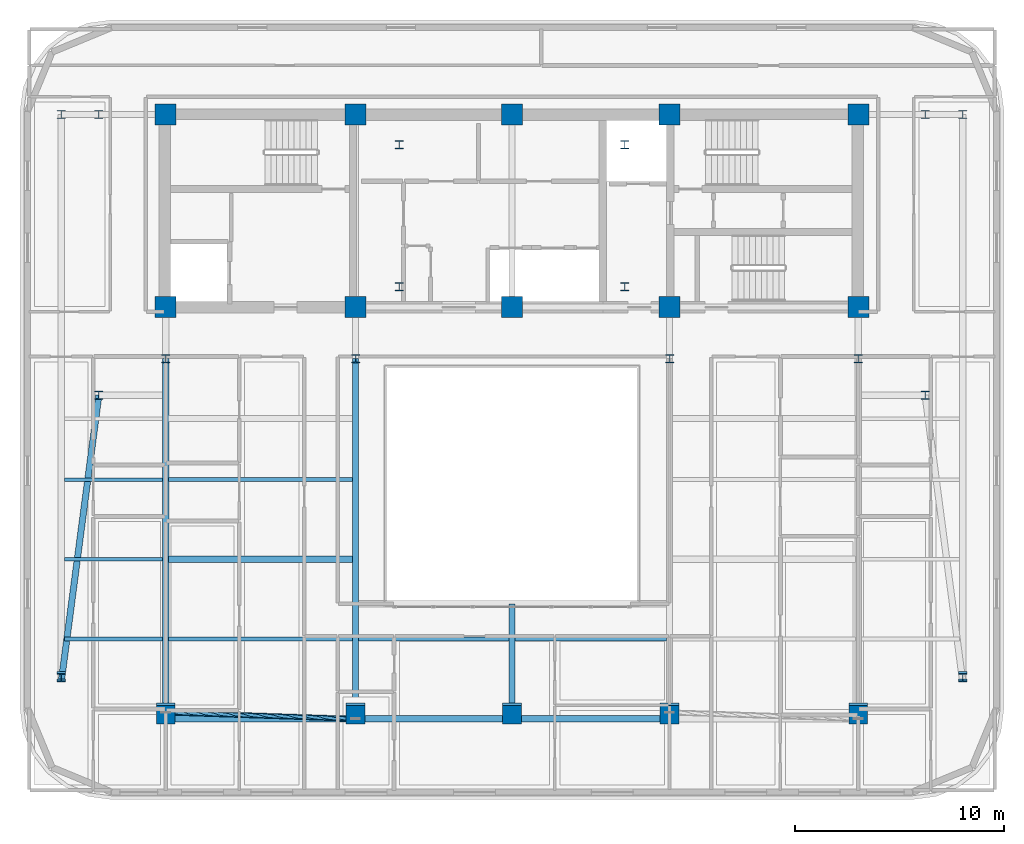
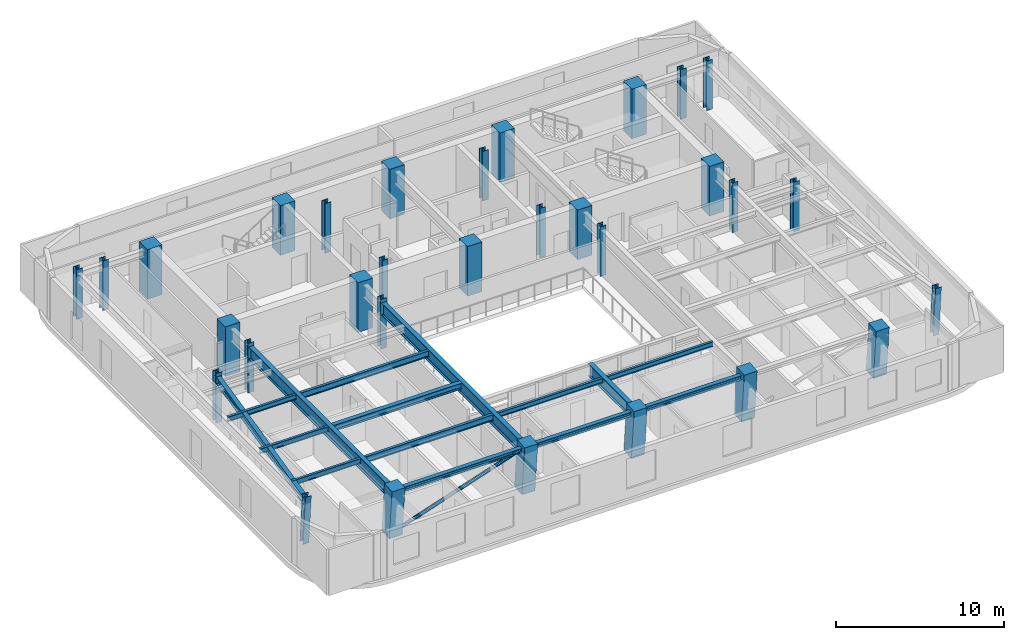
# One storey, part 1 of 15: 31 columns, 15 beams, 1 member.
"""IFC4 building model written with IfcOpenShell, lengths in metres."""

import ifcopenshell
import ifcopenshell.guid

model = None  # the IFC model being written
_history = None  # IfcOwnerHistory: only IFC2X3 demands one
_inside = {}  # id of a spatial element -> (the spatial element, [elements in it])
_under = {}  # id of a project, library or spatial element -> (it, [spatial elements below it])
_declared = {}  # id of a project -> (the project, [libraries it declares])
_typed = {}  # id of a type object -> (the type object, [elements of that type])
_made_of = {}  # id of a material, layer set ... -> (it, [elements and type objects made of it])


def new_model(schema):
    """Start an empty IFC model of exactly this schema.

    Asked for "IFC4X3", IfcOpenShell would pick the latest addendum, in which some entities
    have other attributes; the version numbers below select the first issue.
    IFC2X3 requires an IfcOwnerHistory on every rooted entity: one is made here for all.
    """
    global model, _history
    if schema == "IFC4X3":
        model = ifcopenshell.file(schema_version=(4, 3, 0, 0))
    else:
        model = ifcopenshell.file(schema=schema)
    _inside.clear()
    _under.clear()
    _declared.clear()
    _typed.clear()
    _made_of.clear()
    _history = None
    if model.schema == "IFC2X3":
        org = make("IfcOrganization", Name="unknown")
        user = make(
            "IfcPersonAndOrganization",
            ThePerson=make("IfcPerson", FamilyName="unknown"),
            TheOrganization=org,
        )
        app = make(
            "IfcApplication",
            ApplicationDeveloper=org,
            Version="unknown",
            ApplicationFullName="unknown",
            ApplicationIdentifier="unknown",
        )
        _history = make(
            "IfcOwnerHistory",
            OwningUser=user,
            OwningApplication=app,
            ChangeAction="ADDED",
            CreationDate=0,
        )
    return model


def make(cls, **values):
    """One entity of the class cls with the attributes given. An attribute that is None is left unset."""
    return model.create_entity(
        cls, **{name: value for name, value in values.items() if value is not None}
    )


def rooted(cls, **values):
    """An entity with a GlobalId (a new one), such as an element, a storey or a relation."""
    return make(cls, GlobalId=ifcopenshell.guid.new(), OwnerHistory=_history, **values)


def si_unit(unit_type, name, prefix=None):
    """IfcSIUnit, for example si_unit("LENGTHUNIT", "METRE", prefix="MILLI")."""
    return make("IfcSIUnit", UnitType=unit_type, Prefix=prefix, Name=name)


def assignment(units):
    """IfcUnitAssignment: the units of a project."""
    return None if units is None else make("IfcUnitAssignment", Units=units)


def point(xyz):
    """IfcCartesianPoint."""
    return None if xyz is None else make("IfcCartesianPoint", Coordinates=xyz)


def direction(xyz):
    """IfcDirection."""
    return None if xyz is None else make("IfcDirection", DirectionRatios=xyz)


def frame(location, z_axis=None, x_axis=None):
    """IfcAxis2Placement3D, a coordinate frame: its origin and axes. An axis left out is left unset."""
    return make(
        "IfcAxis2Placement3D",
        Location=point(location),
        Axis=direction(z_axis),
        RefDirection=direction(x_axis),
    )


def frame_2d(location, x_axis=None):
    """IfcAxis2Placement2D, a coordinate frame in the plane: its origin and x axis."""
    return make(
        "IfcAxis2Placement2D", Location=point(location), RefDirection=direction(x_axis)
    )


def origin():
    """The frame at (0, 0, 0) with its axes left unset."""
    return frame((0.0, 0.0, 0.0))


def origin_2d():
    """The frame at (0, 0) in the plane with its x axis left unset."""
    return frame_2d((0.0, 0.0))


def place(relative_to, where):
    """IfcLocalPlacement: puts the frame where relative to a parent placement (None: the world)."""
    return make(
        "IfcLocalPlacement", PlacementRelTo=relative_to, RelativePlacement=where
    )


def context(
    kind, dimensions, precision=None, world=None, true_north=None, identifier=None
):
    """IfcGeometricRepresentationContext, for example the 3D "Model" context."""
    return make(
        "IfcGeometricRepresentationContext",
        ContextIdentifier=identifier,
        ContextType=kind,
        CoordinateSpaceDimension=dimensions,
        Precision=precision,
        WorldCoordinateSystem=world,
        TrueNorth=true_north,
    )


def subcontext(parent, identifier, kind, view, scale=None):
    """IfcGeometricRepresentationSubContext, for example "Body" below "Model"."""
    return make(
        "IfcGeometricRepresentationSubContext",
        ContextIdentifier=identifier,
        ContextType=kind,
        ParentContext=parent,
        TargetScale=scale,
        TargetView=view,
    )


def project(units=None, contexts=None):
    """IfcProject with its units and contexts."""
    return rooted(
        "IfcProject",
        Name="project",
        RepresentationContexts=contexts,
        UnitsInContext=assignment(units),
    )


def spatial(cls, under=None, at=None, **own):
    """A site, building, storey or space (cls), placed at a placement, below another one or the project."""
    s = rooted(cls, ObjectPlacement=at, **own)
    if under is not None:
        _under.setdefault(under.id(), (under, []))[1].append(s)
    return s


def profile(cls, at=None, kind="AREA", **sizes):
    """A parametric profile (cls). Its sizes go by their IFC names, for example OverallWidth=200.0."""
    return make(cls, ProfileType=kind, Position=at, **sizes)


def rectangle(**sizes):
    """IfcRectangleProfileDef."""
    return profile("IfcRectangleProfileDef", **sizes)


def hollow_circle(**sizes):
    """IfcCircleHollowProfileDef."""
    return profile("IfcCircleHollowProfileDef", **sizes)


def i_section(**sizes):
    """IfcIShapeProfileDef."""
    return profile("IfcIShapeProfileDef", **sizes)


def extrude(swept, where, along, depth):
    """IfcExtrudedAreaSolid: the profile swept, set in the frame where, extruded along a direction by depth."""
    return make(
        "IfcExtrudedAreaSolid",
        SweptArea=swept,
        Position=where,
        ExtrudedDirection=direction(along),
        Depth=depth,
    )


def shape(context_of_items, identifier, shape_type, items):
    """IfcShapeRepresentation: the items that make up one representation, for example the "Body"."""
    return make(
        "IfcShapeRepresentation",
        ContextOfItems=context_of_items,
        RepresentationIdentifier=identifier,
        RepresentationType=shape_type,
        Items=items,
    )


def material(Name=None, Category=None):
    """IfcMaterial."""
    return make("IfcMaterial", Name=Name, Category=Category)


def material_profile(
    of_material, cross_section, Name=None, Category=None, Priority=None
):
    """IfcMaterialProfile: a cross section and its material."""
    return make(
        "IfcMaterialProfile",
        Name=Name,
        Material=of_material,
        Profile=cross_section,
        Priority=Priority,
        Category=Category,
    )


def profile_set(profiles, Name=None, composite=None):
    """IfcMaterialProfileSet."""
    return make(
        "IfcMaterialProfileSet",
        Name=Name,
        MaterialProfiles=profiles,
        CompositeProfile=composite,
    )


def made_of(thing, what):
    """Note that an element or type object is made of a material, layer set ...; save() writes the relation."""
    if what is not None:
        _made_of.setdefault(what.id(), (what, []))[1].append(thing)
    return thing


def type_object(cls, material=None, **own):
    """A type object (cls), such as IfcWallType, which elements share."""
    return made_of(rooted(cls, **own), material)


def element(
    cls,
    number,
    at=None,
    inside=None,
    cuts=None,
    type_object=None,
    material=None,
    context=None,
    identifier="Body",
    shape_type=None,
    held_by="IfcProductDefinitionShape",
    body=None,
    shapes=None,
    **own,
):
    """One element of the class cls, such as IfcWall. Its Tag is "e" and its number.

    at: its placement. inside: the storey or other place that contains it. cuts: it is an
    opening in that element (IfcRelVoidsElement). A single representation is given by context,
    identifier, shape_type and body (its items); several are given by shapes. held_by: the class
    of the entity that holds the representations. save() writes the other relations.
    """
    e = rooted(cls, Tag="e%d" % number, ObjectPlacement=at, **own)
    if body is not None:
        shapes = [shape(context, identifier, shape_type, body)]
    if shapes is not None:
        e.Representation = make(held_by, Representations=shapes)
    if inside is not None:
        _inside.setdefault(inside.id(), (inside, []))[1].append(e)
    if cuts is not None:
        rooted(
            "IfcRelVoidsElement", RelatingBuildingElement=cuts, RelatedOpeningElement=e
        )
    if type_object is not None:
        _typed.setdefault(type_object.id(), (type_object, []))[1].append(e)
    return made_of(e, material)


def aggregate(whole, parts):
    """IfcRelAggregates: a whole, such as a stair, and the parts it consists of."""
    return rooted("IfcRelAggregates", RelatingObject=whole, RelatedObjects=parts)


def save(model, path):
    """Write the relations noted so far, then the file.

    IfcRelAggregates (storeys below a building ...), IfcRelContainedInSpatialStructure (elements
    in a storey), IfcRelDefinesByType, IfcRelAssociatesMaterial and IfcRelDeclares: one each for
    every whole, place, type object, material and project.
    """
    for whole, parts in _under.values():
        aggregate(whole, parts)
    for where, things in _inside.values():
        rooted(
            "IfcRelContainedInSpatialStructure",
            RelatedElements=things,
            RelatingStructure=where,
        )
    for kind, things in _typed.values():
        rooted("IfcRelDefinesByType", RelatedObjects=things, RelatingType=kind)
    for what, things in _made_of.values():
        rooted("IfcRelAssociatesMaterial", RelatedObjects=things, RelatingMaterial=what)
    for by, libraries in _declared.values():
        rooted("IfcRelDeclares", RelatingContext=by, RelatedDefinitions=libraries)
    model.write(path)


model = new_model("IFC4")

# Units and contexts
model_context = context("Model", 3, precision=1e-05, world=origin(), true_north=direction((0.0, 1.0)))
body_context = subcontext(model_context, "Body", "Model", "MODEL_VIEW")
ifc_project = project(units=[si_unit("LENGTHUNIT", "METRE"), si_unit("AREAUNIT", "SQUARE_METRE"), si_unit("VOLUMEUNIT", "CUBIC_METRE"), si_unit("PLANEANGLEUNIT", "RADIAN"), si_unit("MASSUNIT", "GRAM", prefix="KILO")], contexts=[model_context])

# Site, building, storey
site_placement = place(None, origin())
site = spatial("IfcSite", under=ifc_project, at=site_placement, CompositionType="ELEMENT")
building_placement = place(site_placement, origin())
building = spatial("IfcBuilding", under=site, at=building_placement, Name="Zarnavel Station Tower", CompositionType="ELEMENT")
storey_placement = place(building_placement, frame((0.0, 0.0, 196.800048828125)))
storey = spatial("IfcBuildingStorey", under=building, at=storey_placement, Name="L53", CompositionType="ELEMENT", Elevation=196.800048828125)

# Columns
ifc_material_1 = material(Name="Steel S355J2", Category="steel")
ifc_material_profile_1 = material_profile(ifc_material_1, i_section(OverallWidth=0.407958984375, OverallDepth=0.39990234375, WebThickness=0.02490234375, FlangeThickness=0.0390625, FilletRadius=0.014892578125, at=origin_2d()), Name="HD400x287")
ifc_profile_set_1 = profile_set([ifc_material_profile_1], Name="Steel S355J2")
column_type_1 = type_object("IfcColumnType", Name="EC_HD287", PredefinedType="COLUMN", material=ifc_profile_set_1)
column_1_placement = place(storey_placement, frame((7.199951171875, 10.15087890625, 0.0), z_axis=(0.0, -0.079906436036, 0.996802368316), x_axis=(1.0, 0.0, 0.0)))
element("IfcColumn", 1, at=column_1_placement, inside=storey, type_object=column_type_1, Name="L53 Raked Wing Column 1", PredefinedType="COLUMN", context=body_context, shape_type="SweptSolid", body=[
    extrude(i_section(OverallWidth=0.407958984375, OverallDepth=0.39990234375, WebThickness=0.02490234375, FlangeThickness=0.0390625, FilletRadius=0.014892578125, at=origin_2d()), origin(), (0.0, 0.0, 1.0), 3.611328125),
])
column_2_placement = place(storey_placement, frame((7.199951171875, 37.050048828125, 0.0), z_axis=(0.0, 0.0, 1.0), x_axis=(1.0, 0.0, 0.0)))
element("IfcColumn", 2, at=column_2_placement, inside=storey, type_object=column_type_1, Name="L53 Outer Wing North Column 1", PredefinedType="COLUMN", context=body_context, shape_type="SweptSolid", body=[
    extrude(i_section(OverallWidth=0.407958984375, OverallDepth=0.39990234375, WebThickness=0.02490234375, FlangeThickness=0.0390625, FilletRadius=0.014892578125, at=origin_2d()), origin(), (0.0, 0.0, 1.0), 3.599853515625),
])
column_3_placement = place(storey_placement, frame((50.39990234375, 10.15087890625, 0.0), z_axis=(0.0, -0.079906436036, 0.996802368316), x_axis=(1.0, 0.0, 0.0)))
element("IfcColumn", 3, at=column_3_placement, inside=storey, type_object=column_type_1, Name="L53 Raked Wing Column 2", PredefinedType="COLUMN", context=body_context, shape_type="SweptSolid", body=[
    extrude(i_section(OverallWidth=0.407958984375, OverallDepth=0.39990234375, WebThickness=0.02490234375, FlangeThickness=0.0390625, FilletRadius=0.014892578125, at=origin_2d()), origin(), (0.0, 0.0, 1.0), 3.611328125),
])
column_4_placement = place(storey_placement, frame((50.39990234375, 37.050048828125, 0.0), z_axis=(0.0, 0.0, 1.0), x_axis=(1.0, 0.0, 0.0)))
element("IfcColumn", 4, at=column_4_placement, inside=storey, type_object=column_type_1, Name="L53 Outer Wing North Column 2", PredefinedType="COLUMN", context=body_context, shape_type="SweptSolid", body=[
    extrude(i_section(OverallWidth=0.407958984375, OverallDepth=0.39990234375, WebThickness=0.02490234375, FlangeThickness=0.0390625, FilletRadius=0.014892578125, at=origin_2d()), origin(), (0.0, 0.0, 1.0), 3.599853515625),
])
ifc_material_2 = material(Name="Steel S355J2", Category="steel")
ifc_material_profile_2 = material_profile(ifc_material_2, i_section(OverallWidth=0.407958984375, OverallDepth=0.39990234375, WebThickness=0.02490234375, FlangeThickness=0.0390625, FilletRadius=0.014892578125, at=origin_2d()), Name="HD400x287")
ifc_profile_set_2 = profile_set([ifc_material_profile_2], Name="Steel S355J2")
column_type_2 = type_object("IfcColumnType", Name="IC_HD287", PredefinedType="COLUMN", material=ifc_profile_set_2)
for number, where, z_axis, x_axis, name in (
    (5, (23.39990234375, 28.800048828125, 0.0), (0.0, 0.0, 1.0), (1.0, 0.0, 0.0), "L53 Mast Spine Column 1"),
    (6, (34.199951171875, 28.800048828125, 0.0), (0.0, 0.0, 1.0), (1.0, 0.0, 0.0), "L53 Mast Spine Column 2"),
    (7, (34.199951171875, 35.60009765625, 0.0), (0.0, 0.0, 1.0), (1.0, 0.0, 0.0), "L53 Mast Spine Column 3"),
    (8, (23.39990234375, 35.60009765625, 0.0), (0.0, 0.0, 1.0), (1.0, 0.0, 0.0), "L53 Mast Spine Column 4"),
    (9, (12.199951171875, 25.35009765625, 0.0), (0.0, 0.0, 1.0), (1.0, 0.0, 0.0), "L53 Inner Spine Column 1"),
    (10, (21.300048828125, 25.35009765625, 0.0), (0.0, 0.0, 1.0), (1.0, 0.0, 0.0), "L53 Inner Spine Column 2"),
    (11, (36.35009765625, 25.35009765625, 0.0), (0.0, 0.0, 1.0), (1.0, 0.0, 0.0), "L53 Inner Spine Column 4"),
    (12, (45.39990234375, 25.35009765625, 0.0), (0.0, 0.0, 1.0), (1.0, 0.0, 0.0), "L53 Inner Spine Column 5"),
    (13, (9.0, 23.60009765625, 0.0), (0.0, 0.0, 1.0), (1.0, 0.0, 0.0), "L53 Inner Wing Spine Column 1-1"),
    (14, (9.0, 37.050048828125, 0.0), (0.0, 0.0, 1.0), (1.0, 0.0, 0.0), "L53 Inner Wing Spine Column 1-2"),
    (15, (48.60009765625, 23.60009765625, 0.0), (0.0, 0.0, 1.0), (1.0, 0.0, 0.0), "L53 Inner Wing Spine Column 2-1"),
    (16, (48.60009765625, 37.050048828125, 0.0), (0.0, 0.0, 1.0), (1.0, 0.0, 0.0), "L53 Inner Wing Spine Column 2-2"),
):
    element("IfcColumn", number, at=place(storey_placement, frame(where, z_axis=z_axis, x_axis=x_axis)), inside=storey, type_object=column_type_2, Name=name, PredefinedType="COLUMN", context=body_context, shape_type="SweptSolid", body=[
        extrude(i_section(OverallWidth=0.407958984375, OverallDepth=0.39990234375, WebThickness=0.02490234375, FlangeThickness=0.0390625, FilletRadius=0.014892578125, at=origin_2d()), origin(), (0.0, 0.0, 1.0), 3.599853515625),
    ])
ifc_material_3 = material(Name="Concrete C50/60", Category="concrete")
ifc_material_profile_3 = material_profile(ifc_material_3, rectangle(XDim=1.0, YDim=1.0, at=origin_2d()), Name="RC1000x1000")
ifc_profile_set_3 = profile_set([ifc_material_profile_3], Name="Concrete C50/60")
column_type_3 = type_object("IfcColumnType", Name="IC_RC1000", PredefinedType="COLUMN", material=ifc_profile_set_3)
for number, where, z_axis, x_axis, name in (
    (17, (12.199951171875, 27.820068359375, 0.0), (0.0, 0.0, 1.0), (1.0, 0.0, 0.0), "L53 Core Spine Column 1-1"),
    (18, (12.199951171875, 37.050048828125, 0.0), (0.0, 0.0, 1.0), (1.0, 0.0, 0.0), "L53 Core Spine Column 1-2"),
    (19, (21.300048828125, 27.820068359375, 0.0), (0.0, 0.0, 1.0), (1.0, 0.0, 0.0), "L53 Core Spine Column 2-1"),
    (20, (21.300048828125, 37.050048828125, 0.0), (0.0, 0.0, 1.0), (1.0, 0.0, 0.0), "L53 Core Spine Column 2-2"),
    (21, (28.800048828125, 27.820068359375, 0.0), (0.0, 0.0, 1.0), (1.0, 0.0, 0.0), "L53 Core Spine Column 3-1"),
    (22, (28.800048828125, 37.050048828125, 0.0), (0.0, 0.0, 1.0), (1.0, 0.0, 0.0), "L53 Core Spine Column 3-2"),
    (23, (36.35009765625, 27.820068359375, 0.0), (0.0, 0.0, 1.0), (1.0, 0.0, 0.0), "L53 Core Spine Column 4-1"),
    (24, (36.35009765625, 37.050048828125, 0.0), (0.0, 0.0, 1.0), (1.0, 0.0, 0.0), "L53 Core Spine Column 4-2"),
    (25, (45.39990234375, 27.820068359375, 0.0), (0.0, 0.0, 1.0), (1.0, 0.0, 0.0), "L53 Core Spine Column 5-1"),
    (26, (45.39990234375, 37.050048828125, 0.0), (0.0, 0.0, 1.0), (1.0, 0.0, 0.0), "L53 Core Spine Column 5-2"),
):
    element("IfcColumn", number, at=place(storey_placement, frame(where, z_axis=z_axis, x_axis=x_axis)), inside=storey, type_object=column_type_3, Name=name, PredefinedType="COLUMN", context=body_context, shape_type="SweptSolid", body=[
        extrude(rectangle(XDim=1.0, YDim=1.0, at=origin_2d()), origin(), (0.0, 0.0, 1.0), 3.599853515625),
    ])
ifc_material_4 = material(Name="Concrete C50/60", Category="concrete")
ifc_material_profile_4 = material_profile(ifc_material_4, rectangle(XDim=0.89990234375, YDim=0.89990234375, at=origin_2d()), Name="RC900x900")
ifc_profile_set_4 = profile_set([ifc_material_profile_4], Name="Concrete C50/60")
column_type_4 = type_object("IfcColumnType", Name="MC_RC900", PredefinedType="COLUMN", material=ifc_profile_set_4)
for number, where, z_axis, x_axis, name in (
    (27, (12.199951171875, 8.39404296875, 0.0), (0.0, -0.090304327479, 0.99591421741), (1.0, 0.0, 0.0), "L53 Raked South Mega-Column 1"),
    (28, (21.300048828125, 8.39404296875, 0.0), (0.0, -0.090304327479, 0.99591421741), (1.0, 0.0, 0.0), "L53 Raked South Mega-Column 2"),
    (29, (28.800048828125, 8.39404296875, 0.0), (0.0, -0.090304327479, 0.99591421741), (1.0, 0.0, 0.0), "L53 Raked South Mega-Column 3"),
    (30, (36.35009765625, 8.39404296875, 0.0), (0.0, -0.090304327479, 0.99591421741), (1.0, 0.0, 0.0), "L53 Raked South Mega-Column 4"),
    (31, (45.39990234375, 8.39404296875, 0.0), (0.0, -0.090304327479, 0.99591421741), (1.0, 0.0, 0.0), "L53 Raked South Mega-Column 5"),
):
    element("IfcColumn", number, at=place(storey_placement, frame(where, z_axis=z_axis, x_axis=x_axis)), inside=storey, type_object=column_type_4, Name=name, PredefinedType="COLUMN", context=body_context, shape_type="SweptSolid", body=[
        extrude(rectangle(XDim=0.89990234375, YDim=0.89990234375, at=origin_2d()), origin(), (0.0, 0.0, 1.0), 3.614501953125),
    ])

# Member
ifc_material_5 = material(Name="Steel S355J2", Category="steel")
ifc_material_profile_5 = material_profile(ifc_material_5, hollow_circle(Radius=0.122314453125, WallThickness=0.010009765625, at=origin_2d()), Name="CHS244.5x10")
ifc_profile_set_5 = profile_set([ifc_material_profile_5], Name="Steel S355J2")
member_type = type_object("IfcMemberType", Name="DB_EXT_CHS245", PredefinedType="BRACE", material=ifc_profile_set_5)
member_placement = place(storey_placement, frame((12.199951171875, 8.39404296875, 0.0), z_axis=(0.938314062499, -0.03121504098, 0.344372387589), x_axis=(0.033248763554, 0.999447107016, 0.0)))
element("IfcMember", 32, at=member_placement, inside=storey, type_object=member_type, Name="L53 Persian Exterior Diagonal Frame Brace 1", PredefinedType="BRACE", context=body_context, shape_type="SweptSolid", body=[
    extrude(hollow_circle(Radius=0.122314453125, WallThickness=0.010009765625, at=origin_2d()), origin(), (0.0, 0.0, 1.0), 9.6982421875),
])

# Beams
ifc_material_6 = material(Name="Steel S355J2", Category="steel")
ifc_material_profile_6 = material_profile(ifc_material_6, i_section(OverallWidth=0.300048828125, OverallDepth=0.320068359375, WebThickness=0.011474609375, FlangeThickness=0.0205078125, FilletRadius=0.027099609375, at=origin_2d()), Name="HEB320")
ifc_profile_set_6 = profile_set([ifc_material_profile_6], Name="Steel S355J2")
beam_type_1 = type_object("IfcBeamType", Name="EB_HEB320", PredefinedType="SPANDREL", material=ifc_profile_set_6)
beam_1_placement = place(storey_placement, frame((12.199951171875, 8.09130859375, 3.179931640625), z_axis=(1.0, 0.0, 0.0), x_axis=(0.0, 1.0, 0.0)))
element("IfcBeam", 33, at=beam_1_placement, inside=storey, type_object=beam_type_1, Name="L53 South Raked Spandrel 1", PredefinedType="SPANDREL", context=body_context, shape_type="SweptSolid", body=[
    extrude(i_section(OverallWidth=0.300048828125, OverallDepth=0.320068359375, WebThickness=0.011474609375, FlangeThickness=0.0205078125, FilletRadius=0.027099609375, at=origin_2d()), origin(), (0.0, 0.0, 1.0), 9.10009765625),
])
beam_2_placement = place(storey_placement, frame((21.300048828125, 8.09130859375, 3.179931640625), z_axis=(1.0, 0.0, 0.0), x_axis=(0.0, 1.0, 0.0)))
element("IfcBeam", 34, at=beam_2_placement, inside=storey, type_object=beam_type_1, Name="L53 South Raked Spandrel 2", PredefinedType="SPANDREL", context=body_context, shape_type="SweptSolid", body=[
    extrude(i_section(OverallWidth=0.300048828125, OverallDepth=0.320068359375, WebThickness=0.011474609375, FlangeThickness=0.0205078125, FilletRadius=0.027099609375, at=origin_2d()), origin(), (0.0, 0.0, 1.0), 7.5),
])
beam_3_placement = place(storey_placement, frame((28.800048828125, 8.09130859375, 3.179931640625), z_axis=(1.0, 0.0, 0.0), x_axis=(0.0, 1.0, 0.0)))
element("IfcBeam", 35, at=beam_3_placement, inside=storey, type_object=beam_type_1, Name="L53 South Raked Spandrel 3", PredefinedType="SPANDREL", context=body_context, shape_type="SweptSolid", body=[
    extrude(i_section(OverallWidth=0.300048828125, OverallDepth=0.320068359375, WebThickness=0.011474609375, FlangeThickness=0.0205078125, FilletRadius=0.027099609375, at=origin_2d()), origin(), (0.0, 0.0, 1.0), 7.550048828125),
])
ifc_material_7 = material(Name="Steel S355J2", Category="steel")
ifc_material_profile_7 = material_profile(ifc_material_7, i_section(OverallWidth=0.300048828125, OverallDepth=0.43994140625, WebThickness=0.011474609375, FlangeThickness=0.02099609375, FilletRadius=0.027099609375, at=origin_2d()), Name="HEA450")
ifc_profile_set_7 = profile_set([ifc_material_profile_7], Name="Steel S355J2")
beam_type_2 = type_object("IfcBeamType", Name="FB_HEA450", PredefinedType="BEAM", material=ifc_profile_set_7)
beam_4_placement = place(storey_placement, frame((12.344970703125, 15.73486328125, 3.119873046875), z_axis=(1.0, 0.0, 0.0), x_axis=(0.0, 1.0, 0.0)))
element("IfcBeam", 36, at=beam_4_placement, inside=storey, type_object=beam_type_2, Name="L53 West Bay Beam 2", PredefinedType="BEAM", context=body_context, shape_type="SweptSolid", body=[
    extrude(i_section(OverallWidth=0.300048828125, OverallDepth=0.43994140625, WebThickness=0.011474609375, FlangeThickness=0.02099609375, FilletRadius=0.027099609375, at=origin_2d()), origin(), (0.0, 0.0, 1.0), 8.81005859375),
])
ifc_material_8 = material(Name="Steel S355J2", Category="steel")
ifc_material_profile_8 = material_profile(ifc_material_8, i_section(OverallWidth=0.18994140625, OverallDepth=0.449951171875, WebThickness=0.009521484375, FlangeThickness=0.0146484375, FilletRadius=0.02099609375, at=origin_2d()), Name="IPE450")
ifc_profile_set_8 = profile_set([ifc_material_profile_8], Name="Steel S355J2")
beam_type_3 = type_object("IfcBeamType", Name="FB_IPE450", PredefinedType="BEAM", material=ifc_profile_set_8)
for number, where, z_axis, x_axis, name in (
    (37, (12.344970703125, 11.9130859375, 3.114990234375), (1.0, 0.0, 0.0), (0.0, 1.0, 0.0), "L53 West Bay Beam 1"),
    (38, (12.344970703125, 19.556396484375, 3.114990234375), (1.0, 0.0, 0.0), (0.0, 1.0, 0.0), "L53 West Bay Beam 3"),
):
    element("IfcBeam", number, at=place(storey_placement, frame(where, z_axis=z_axis, x_axis=x_axis)), inside=storey, type_object=beam_type_3, Name=name, PredefinedType="BEAM", context=body_context, shape_type="SweptSolid", body=[
        extrude(i_section(OverallWidth=0.18994140625, OverallDepth=0.449951171875, WebThickness=0.009521484375, FlangeThickness=0.0146484375, FilletRadius=0.02099609375, at=origin_2d()), origin(), (0.0, 0.0, 1.0), 8.81005859375),
    ])
ifc_material_9 = material(Name="Steel S355J2", Category="steel")
ifc_material_profile_9 = material_profile(ifc_material_9, i_section(OverallWidth=0.300048828125, OverallDepth=0.5, WebThickness=0.014404296875, FlangeThickness=0.028076171875, FilletRadius=0.027099609375, at=origin_2d()), Name="HEB500")
ifc_profile_set_9 = profile_set([ifc_material_profile_9], Name="Steel S355J2")
beam_type_4 = type_object("IfcBeamType", Name="FG_HEB500", PredefinedType="USERDEFINED", material=ifc_profile_set_9)
beam_5_placement = place(storey_placement, frame((7.199951171875, 9.88330078125, 3.08984375), z_axis=(0.130113955355, 0.991499046203, 0.0), x_axis=(-0.991499046203, 0.130113955355, 0.0)))
element("IfcBeam", 39, at=beam_5_placement, inside=storey, type_object=beam_type_4, Name="L53 West Wing South Tie 1", ObjectType="GIRDER", PredefinedType="USERDEFINED", context=body_context, shape_type="SweptSolid", body=[
    extrude(i_section(OverallWidth=0.300048828125, OverallDepth=0.5, WebThickness=0.014404296875, FlangeThickness=0.028076171875, FilletRadius=0.027099609375, at=origin_2d()), origin(), (0.0, 0.0, 1.0), 13.83447265625),
])
ifc_material_10 = material(Name="Steel S355J2", Category="steel")
ifc_material_profile_10 = material_profile(ifc_material_10, i_section(OverallWidth=0.300048828125, OverallDepth=0.89990234375, WebThickness=0.0185546875, FlangeThickness=0.034912109375, FilletRadius=0.030029296875, at=origin_2d()), Name="HEB900")
ifc_profile_set_10 = profile_set([ifc_material_profile_10], Name="Steel S355J2")
beam_type_5 = type_object("IfcBeamType", Name="FG_HEB900", PredefinedType="USERDEFINED", material=ifc_profile_set_10)
for number, where, z_axis, x_axis, name in (
    (40, (12.199951171875, 8.09130859375, 2.889892578125), (0.0, 1.0, 0.0), (-1.0, 0.0, 0.0), "L53 South-Zone NS Girder 1"),
    (41, (21.300048828125, 8.09130859375, 2.889892578125), (0.0, 1.0, 0.0), (-1.0, 0.0, 0.0), "L53 South-Zone NS Girder 2"),
):
    element("IfcBeam", number, at=place(storey_placement, frame(where, z_axis=z_axis, x_axis=x_axis)), inside=storey, type_object=beam_type_5, Name=name, ObjectType="GIRDER", PredefinedType="USERDEFINED", context=body_context, shape_type="SweptSolid", body=[
        extrude(i_section(OverallWidth=0.300048828125, OverallDepth=0.89990234375, WebThickness=0.0185546875, FlangeThickness=0.034912109375, FilletRadius=0.030029296875, at=origin_2d()), origin(), (0.0, 0.0, 1.0), 17.2587890625),
    ])
beam_6_placement = place(storey_placement, frame((28.800048828125, 8.09130859375, 2.889892578125), z_axis=(0.0, 1.0, 0.0), x_axis=(-1.0, 0.0, 0.0)))
element("IfcBeam", 42, at=beam_6_placement, inside=storey, type_object=beam_type_5, Name="L53 Central Atrium-South Girder", ObjectType="GIRDER", PredefinedType="USERDEFINED", context=body_context, shape_type="SweptSolid", body=[
    extrude(i_section(OverallWidth=0.300048828125, OverallDepth=0.89990234375, WebThickness=0.0185546875, FlangeThickness=0.034912109375, FilletRadius=0.030029296875, at=origin_2d()), origin(), (0.0, 0.0, 1.0), 5.5087890625),
])
ifc_material_11 = material(Name="Steel S355J2", Category="steel")
ifc_material_profile_11 = material_profile(ifc_material_11, i_section(OverallWidth=0.169921875, OverallDepth=0.360107421875, WebThickness=0.008056640625, FlangeThickness=0.0126953125, FilletRadius=0.01806640625, at=origin_2d()), Name="IPE360")
ifc_profile_set_11 = profile_set([ifc_material_profile_11], Name="Steel S355J2")
beam_type_6 = type_object("IfcBeamType", Name="FJ_IPE360", PredefinedType="JOIST", material=ifc_profile_set_11)
beam_7_placement = place(storey_placement, frame((21.445068359375, 11.9130859375, 3.159912109375), z_axis=(1.0, 0.0, 0.0), x_axis=(0.0, 1.0, 0.0)))
element("IfcBeam", 43, at=beam_7_placement, inside=storey, type_object=beam_type_6, Name="L53 Mid-West Joist 1", PredefinedType="JOIST", context=body_context, shape_type="SweptSolid", body=[
    extrude(i_section(OverallWidth=0.169921875, OverallDepth=0.360107421875, WebThickness=0.008056640625, FlangeThickness=0.0126953125, FilletRadius=0.01806640625, at=origin_2d()), origin(), (0.0, 0.0, 1.0), 7.2099609375),
])
beam_8_placement = place(storey_placement, frame((28.945068359375, 11.9130859375, 3.159912109375), z_axis=(1.0, 0.0, 0.0), x_axis=(0.0, 1.0, 0.0)))
element("IfcBeam", 44, at=beam_8_placement, inside=storey, type_object=beam_type_6, Name="L53 Mid-East Joist 1", PredefinedType="JOIST", context=body_context, shape_type="SweptSolid", body=[
    extrude(i_section(OverallWidth=0.169921875, OverallDepth=0.360107421875, WebThickness=0.008056640625, FlangeThickness=0.0126953125, FilletRadius=0.01806640625, at=origin_2d()), origin(), (0.0, 0.0, 1.0), 7.260009765625),
])
for number, where, z_axis, x_axis, name in (
    (45, (7.344970703125, 11.9130859375, 3.159912109375), (1.0, 0.0, 0.0), (0.0, 1.0, 0.0), "L53 West Wing Joist 1"),
    (46, (7.344970703125, 15.73486328125, 3.159912109375), (1.0, 0.0, 0.0), (0.0, 1.0, 0.0), "L53 West Wing Joist 2"),
    (47, (7.344970703125, 19.556396484375, 3.159912109375), (1.0, 0.0, 0.0), (0.0, 1.0, 0.0), "L53 West Wing Joist 3"),
):
    element("IfcBeam", number, at=place(storey_placement, frame(where, z_axis=z_axis, x_axis=x_axis)), inside=storey, type_object=beam_type_6, Name=name, PredefinedType="JOIST", context=body_context, shape_type="SweptSolid", body=[
        extrude(i_section(OverallWidth=0.169921875, OverallDepth=0.360107421875, WebThickness=0.008056640625, FlangeThickness=0.0126953125, FilletRadius=0.01806640625, at=origin_2d()), origin(), (0.0, 0.0, 1.0), 4.7099609375),
    ])

save(model, "model.ifc")
